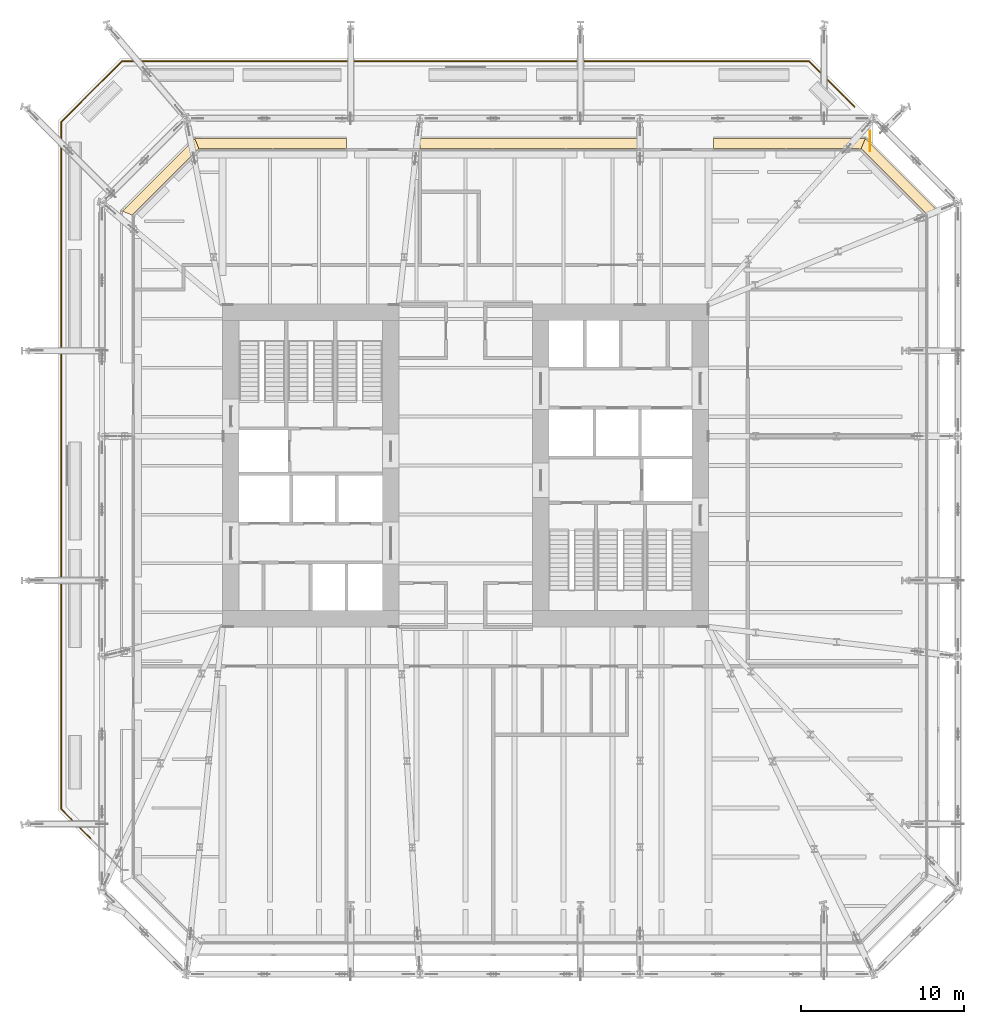
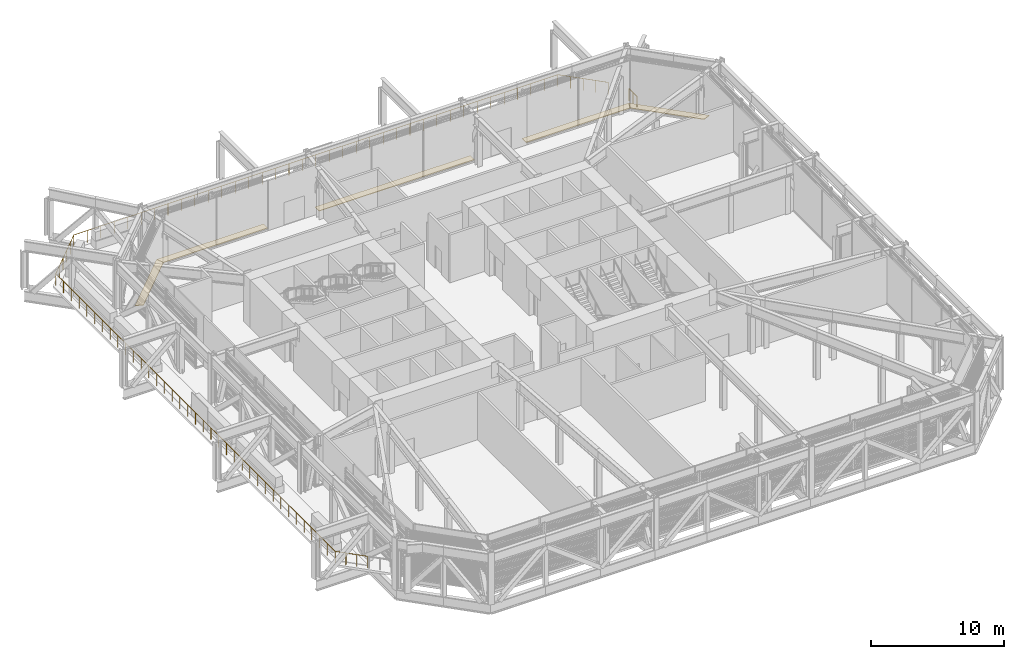
# One storey, part 28 of 29: 5 coverings, 2 railings.
"""IFC4 building model written with IfcOpenShell, lengths in metres."""

from ifc_helpers import new_model, si_unit, direction, frame, origin, origin_2d, place, context, subcontext, project, spatial, polyline, circle, outline, extrude, material, layer, layer_set, type_object, element, save


model = new_model("IFC4")

# Units and contexts
model_context = context("Model", 3, precision=1e-05, world=origin(), true_north=direction((0.0, 1.0)))
body_context = subcontext(model_context, "Body", "Model", "MODEL_VIEW")
ifc_project = project(units=[si_unit("LENGTHUNIT", "METRE"), si_unit("AREAUNIT", "SQUARE_METRE"), si_unit("VOLUMEUNIT", "CUBIC_METRE"), si_unit("PLANEANGLEUNIT", "RADIAN"), si_unit("MASSUNIT", "GRAM", prefix="KILO")], contexts=[model_context])

# Site, building, storey
site_placement = place(None, origin())
site = spatial("IfcSite", under=ifc_project, at=site_placement, CompositionType="ELEMENT")
building_placement = place(site_placement, origin())
building = spatial("IfcBuilding", under=site, at=building_placement, Name="Millrace Tower", CompositionType="ELEMENT")
storey_placement = place(building_placement, frame((0.0, 0.0, 68.60009765625)))
storey = spatial("IfcBuildingStorey", under=building, at=storey_placement, Name="L15", CompositionType="ELEMENT", Elevation=68.60009765625)

# Coverings
ifc_material_1 = material(Name="Steel ASTM A36", Category="steel")
ifc_layer = layer(ifc_material_1, 0.050048828125)
ifc_layer_set = layer_set([ifc_layer], Name="Steel ASTM A36")
covering_type = type_object("IfcCoveringType", Name="CAVITY CATWALK steel grating", PredefinedType="FLOORING", material=ifc_layer_set)
placement = place(storey_placement, frame((0.0, 0.0, 0.099853515625)))
element("IfcCovering", 1, at=placement, inside=storey, type_object=covering_type, Name="Cavity catwalk grating B-F05 L15 1", PredefinedType="FLOORING", context=body_context, shape_type="SweptSolid", body=[
    extrude(outline(polyline([(28.949951171875, 15.610595703125), (24.5107421875, 20.050048828125), (24.26220703125, 19.449951171875), (28.35009765625, 15.362060546875), (28.949951171875, 15.610595703125)])), origin(), (0.0, 0.0, 1.0), 0.050048828125),
])
element("IfcCovering", 2, at=placement, inside=storey, type_object=covering_type, Name="Cavity catwalk grating B-F06 L15 1", PredefinedType="FLOORING", context=body_context, shape_type="SweptSolid", body=[
    extrude(outline(polyline([(24.5107421875, 20.050048828125), (15.199951171875, 20.050048828125), (15.199951171875, 19.449951171875), (24.26220703125, 19.449951171875), (24.5107421875, 20.050048828125)])), origin(), (0.0, 0.0, 1.0), 0.050048828125),
])
element("IfcCovering", 3, at=placement, inside=storey, type_object=covering_type, Name="Cavity catwalk grating B-F06 L15 2", PredefinedType="FLOORING", context=body_context, shape_type="SweptSolid", body=[
    extrude(outline(polyline([(10.699951171875, 20.050048828125), (-2.800048828125, 20.050048828125), (-2.800048828125, 19.449951171875), (10.699951171875, 19.449951171875), (10.699951171875, 20.050048828125)])), origin(), (0.0, 0.0, 1.0), 0.050048828125),
])
element("IfcCovering", 4, at=placement, inside=storey, type_object=covering_type, Name="Cavity catwalk grating B-F06 L15 3", PredefinedType="FLOORING", context=body_context, shape_type="SweptSolid", body=[
    extrude(outline(polyline([(-7.300048828125, 20.050048828125), (-16.610595703125, 20.050048828125), (-16.362060546875, 19.449951171875), (-7.300048828125, 19.449951171875), (-7.300048828125, 20.050048828125)])), origin(), (0.0, 0.0, 1.0), 0.050048828125),
])
element("IfcCovering", 5, at=placement, inside=storey, type_object=covering_type, Name="Cavity catwalk grating B-F07 L15 1", PredefinedType="FLOORING", context=body_context, shape_type="SweptSolid", body=[
    extrude(outline(polyline([(-16.610595703125, 20.050048828125), (-21.050048828125, 15.610595703125), (-20.449951171875, 15.362060546875), (-16.362060546875, 19.449951171875), (-16.610595703125, 20.050048828125)])), origin(), (0.0, 0.0, 1.0), 0.050048828125),
])

# Railings
ifc_material_2 = material(Name="Stainless steel ASTM A240 type 316", Category="steel")
railing_type = type_object("IfcRailingType", Name="Terrace guard 1100", PredefinedType="GUARDRAIL", material=ifc_material_2)
railing_1_placement = place(storey_placement, frame((23.85498046875, 22.01220703125, 0.0)))
element("IfcRailing", 6, at=railing_1_placement, inside=storey, type_object=railing_type, Name="Terrace guard T-L14-1 1", PredefinedType="GUARDRAIL", context=body_context, shape_type="SweptSolid", body=[
    extrude(circle(Radius=0.02392578125, at=origin_2d()), frame((0.0, 0.0, 1.076171875), z_axis=(-0.707106781187, 0.707106781187, 0.0), x_axis=(-0.707106781187, -0.707106781187, 0.0)), (0.0, 0.0, 1.0), 3.942626953125),
    extrude(circle(Radius=0.02392578125, at=origin_2d()), frame((-2.787841796875, 2.787841796875, 1.076171875), z_axis=(-1.0, 0.0, 0.0), x_axis=(0.0, -1.0, 0.0)), (0.0, 0.0, 1.0), 42.13427734375),
    extrude(circle(Radius=0.02392578125, at=origin_2d()), frame((-44.922119140625, 2.787841796875, 1.076171875), z_axis=(-0.707106781187, -0.707106781187, 0.0), x_axis=(0.707106781187, -0.707106781187, 0.0)), (0.0, 0.0, 1.0), 5.279052734375),
    extrude(circle(Radius=0.02392578125, at=origin_2d()), frame((-48.655029296875, -0.945068359375, 1.076171875), z_axis=(0.0, -1.0, 0.0), x_axis=(1.0, 0.0, 0.0)), (0.0, 0.0, 1.0), 42.13427734375),
    extrude(circle(Radius=0.02392578125, at=origin_2d()), frame((-48.655029296875, -43.079345703125, 1.076171875), z_axis=(0.707106781187, -0.707106781187, 0.0), x_axis=(0.707106781187, 0.707106781187, 0.0)), (0.0, 0.0, 1.0), 2.5283203125),
    extrude(circle(Radius=0.02099609375, at=origin_2d()), origin(), (0.0, 0.0, 1.0), 1.052001953125),
    extrude(circle(Radius=0.02099609375, at=origin_2d()), frame((-0.697021484375, 0.697021484375, 0.0)), (0.0, 0.0, 1.0), 1.052001953125),
    extrude(circle(Radius=0.02099609375, at=origin_2d()), frame((-1.39404296875, 1.39404296875, 0.0)), (0.0, 0.0, 1.0), 1.052001953125),
    extrude(circle(Radius=0.02099609375, at=origin_2d()), frame((-2.0908203125, 2.0908203125, 0.0)), (0.0, 0.0, 1.0), 1.052001953125),
    extrude(circle(Radius=0.02099609375, at=origin_2d()), frame((-2.787841796875, 2.787841796875, 0.0)), (0.0, 0.0, 1.0), 1.052001953125),
    extrude(circle(Radius=0.02099609375, at=origin_2d()), frame((-3.958251953125, 2.787841796875, 0.0)), (0.0, 0.0, 1.0), 1.052001953125),
    extrude(circle(Radius=0.02099609375, at=origin_2d()), frame((-5.128662109375, 2.787841796875, 0.0)), (0.0, 0.0, 1.0), 1.052001953125),
    extrude(circle(Radius=0.02099609375, at=origin_2d()), frame((-6.299072265625, 2.787841796875, 0.0)), (0.0, 0.0, 1.0), 1.052001953125),
    extrude(circle(Radius=0.02099609375, at=origin_2d()), frame((-7.469482421875, 2.787841796875, 0.0)), (0.0, 0.0, 1.0), 1.052001953125),
    extrude(circle(Radius=0.02099609375, at=origin_2d()), frame((-8.639892578125, 2.787841796875, 0.0)), (0.0, 0.0, 1.0), 1.052001953125),
    extrude(circle(Radius=0.02099609375, at=origin_2d()), frame((-9.810302734375, 2.787841796875, 0.0)), (0.0, 0.0, 1.0), 1.052001953125),
    extrude(circle(Radius=0.02099609375, at=origin_2d()), frame((-10.980712890625, 2.787841796875, 0.0)), (0.0, 0.0, 1.0), 1.052001953125),
    extrude(circle(Radius=0.02099609375, at=origin_2d()), frame((-12.151123046875, 2.787841796875, 0.0)), (0.0, 0.0, 1.0), 1.052001953125),
    extrude(circle(Radius=0.02099609375, at=origin_2d()), frame((-13.3212890625, 2.787841796875, 0.0)), (0.0, 0.0, 1.0), 1.052001953125),
    extrude(circle(Radius=0.02099609375, at=origin_2d()), frame((-14.49169921875, 2.787841796875, 0.0)), (0.0, 0.0, 1.0), 1.052001953125),
    extrude(circle(Radius=0.02099609375, at=origin_2d()), frame((-15.662109375, 2.787841796875, 0.0)), (0.0, 0.0, 1.0), 1.052001953125),
    extrude(circle(Radius=0.02099609375, at=origin_2d()), frame((-16.83251953125, 2.787841796875, 0.0)), (0.0, 0.0, 1.0), 1.052001953125),
    extrude(circle(Radius=0.02099609375, at=origin_2d()), frame((-18.0029296875, 2.787841796875, 0.0)), (0.0, 0.0, 1.0), 1.052001953125),
    extrude(circle(Radius=0.02099609375, at=origin_2d()), frame((-19.17333984375, 2.787841796875, 0.0)), (0.0, 0.0, 1.0), 1.052001953125),
    extrude(circle(Radius=0.02099609375, at=origin_2d()), frame((-20.34375, 2.787841796875, 0.0)), (0.0, 0.0, 1.0), 1.052001953125),
    extrude(circle(Radius=0.02099609375, at=origin_2d()), frame((-21.51416015625, 2.787841796875, 0.0)), (0.0, 0.0, 1.0), 1.052001953125),
    extrude(circle(Radius=0.02099609375, at=origin_2d()), frame((-22.6845703125, 2.787841796875, 0.0)), (0.0, 0.0, 1.0), 1.052001953125),
    extrude(circle(Radius=0.02099609375, at=origin_2d()), frame((-23.85498046875, 2.787841796875, 0.0)), (0.0, 0.0, 1.0), 1.052001953125),
    extrude(circle(Radius=0.02099609375, at=origin_2d()), frame((-25.025390625, 2.787841796875, 0.0)), (0.0, 0.0, 1.0), 1.052001953125),
    extrude(circle(Radius=0.02099609375, at=origin_2d()), frame((-26.19580078125, 2.787841796875, 0.0)), (0.0, 0.0, 1.0), 1.052001953125),
    extrude(circle(Radius=0.02099609375, at=origin_2d()), frame((-27.3662109375, 2.787841796875, 0.0)), (0.0, 0.0, 1.0), 1.052001953125),
    extrude(circle(Radius=0.02099609375, at=origin_2d()), frame((-28.53662109375, 2.787841796875, 0.0)), (0.0, 0.0, 1.0), 1.052001953125),
    extrude(circle(Radius=0.02099609375, at=origin_2d()), frame((-29.70703125, 2.787841796875, 0.0)), (0.0, 0.0, 1.0), 1.052001953125),
    extrude(circle(Radius=0.02099609375, at=origin_2d()), frame((-30.87744140625, 2.787841796875, 0.0)), (0.0, 0.0, 1.0), 1.052001953125),
    extrude(circle(Radius=0.02099609375, at=origin_2d()), frame((-32.0478515625, 2.787841796875, 0.0)), (0.0, 0.0, 1.0), 1.052001953125),
    extrude(circle(Radius=0.02099609375, at=origin_2d()), frame((-33.21826171875, 2.787841796875, 0.0)), (0.0, 0.0, 1.0), 1.052001953125),
    extrude(circle(Radius=0.02099609375, at=origin_2d()), frame((-34.388671875, 2.787841796875, 0.0)), (0.0, 0.0, 1.0), 1.052001953125),
    extrude(circle(Radius=0.02099609375, at=origin_2d()), frame((-35.558837890625, 2.787841796875, 0.0)), (0.0, 0.0, 1.0), 1.052001953125),
    extrude(circle(Radius=0.02099609375, at=origin_2d()), frame((-36.729248046875, 2.787841796875, 0.0)), (0.0, 0.0, 1.0), 1.052001953125),
    extrude(circle(Radius=0.02099609375, at=origin_2d()), frame((-37.899658203125, 2.787841796875, 0.0)), (0.0, 0.0, 1.0), 1.052001953125),
    extrude(circle(Radius=0.02099609375, at=origin_2d()), frame((-39.070068359375, 2.787841796875, 0.0)), (0.0, 0.0, 1.0), 1.052001953125),
    extrude(circle(Radius=0.02099609375, at=origin_2d()), frame((-40.240478515625, 2.787841796875, 0.0)), (0.0, 0.0, 1.0), 1.052001953125),
    extrude(circle(Radius=0.02099609375, at=origin_2d()), frame((-41.410888671875, 2.787841796875, 0.0)), (0.0, 0.0, 1.0), 1.052001953125),
    extrude(circle(Radius=0.02099609375, at=origin_2d()), frame((-42.581298828125, 2.787841796875, 0.0)), (0.0, 0.0, 1.0), 1.052001953125),
    extrude(circle(Radius=0.02099609375, at=origin_2d()), frame((-43.751708984375, 2.787841796875, 0.0)), (0.0, 0.0, 1.0), 1.052001953125),
    extrude(circle(Radius=0.02099609375, at=origin_2d()), frame((-44.922119140625, 2.787841796875, 0.0)), (0.0, 0.0, 1.0), 1.052001953125),
    extrude(circle(Radius=0.02099609375, at=origin_2d()), frame((-45.668701171875, 2.041259765625, 0.0)), (0.0, 0.0, 1.0), 1.052001953125),
    extrude(circle(Radius=0.02099609375, at=origin_2d()), frame((-46.415283203125, 1.294677734375, 0.0)), (0.0, 0.0, 1.0), 1.052001953125),
    extrude(circle(Radius=0.02099609375, at=origin_2d()), frame((-47.161865234375, 0.548095703125, 0.0)), (0.0, 0.0, 1.0), 1.052001953125),
    extrude(circle(Radius=0.02099609375, at=origin_2d()), frame((-47.908447265625, -0.198486328125, 0.0)), (0.0, 0.0, 1.0), 1.052001953125),
    extrude(circle(Radius=0.02099609375, at=origin_2d()), frame((-48.655029296875, -0.945068359375, 0.0)), (0.0, 0.0, 1.0), 1.052001953125),
    extrude(circle(Radius=0.02099609375, at=origin_2d()), frame((-48.655029296875, -2.115478515625, 0.0)), (0.0, 0.0, 1.0), 1.052001953125),
    extrude(circle(Radius=0.02099609375, at=origin_2d()), frame((-48.655029296875, -3.285888671875, 0.0)), (0.0, 0.0, 1.0), 1.052001953125),
    extrude(circle(Radius=0.02099609375, at=origin_2d()), frame((-48.655029296875, -4.456298828125, 0.0)), (0.0, 0.0, 1.0), 1.052001953125),
    extrude(circle(Radius=0.02099609375, at=origin_2d()), frame((-48.655029296875, -5.626708984375, 0.0)), (0.0, 0.0, 1.0), 1.052001953125),
    extrude(circle(Radius=0.02099609375, at=origin_2d()), frame((-48.655029296875, -6.797119140625, 0.0)), (0.0, 0.0, 1.0), 1.052001953125),
    extrude(circle(Radius=0.02099609375, at=origin_2d()), frame((-48.655029296875, -7.967529296875, 0.0)), (0.0, 0.0, 1.0), 1.052001953125),
    extrude(circle(Radius=0.02099609375, at=origin_2d()), frame((-48.655029296875, -9.137939453125, 0.0)), (0.0, 0.0, 1.0), 1.052001953125),
    extrude(circle(Radius=0.02099609375, at=origin_2d()), frame((-48.655029296875, -10.308349609375, 0.0)), (0.0, 0.0, 1.0), 1.052001953125),
    extrude(circle(Radius=0.02099609375, at=origin_2d()), frame((-48.655029296875, -11.478515625, 0.0)), (0.0, 0.0, 1.0), 1.052001953125),
    extrude(circle(Radius=0.02099609375, at=origin_2d()), frame((-48.655029296875, -12.64892578125, 0.0)), (0.0, 0.0, 1.0), 1.052001953125),
    extrude(circle(Radius=0.02099609375, at=origin_2d()), frame((-48.655029296875, -13.8193359375, 0.0)), (0.0, 0.0, 1.0), 1.052001953125),
    extrude(circle(Radius=0.02099609375, at=origin_2d()), frame((-48.655029296875, -14.98974609375, 0.0)), (0.0, 0.0, 1.0), 1.052001953125),
    extrude(circle(Radius=0.02099609375, at=origin_2d()), frame((-48.655029296875, -16.16015625, 0.0)), (0.0, 0.0, 1.0), 1.052001953125),
    extrude(circle(Radius=0.02099609375, at=origin_2d()), frame((-48.655029296875, -17.33056640625, 0.0)), (0.0, 0.0, 1.0), 1.052001953125),
    extrude(circle(Radius=0.02099609375, at=origin_2d()), frame((-48.655029296875, -18.5009765625, 0.0)), (0.0, 0.0, 1.0), 1.052001953125),
    extrude(circle(Radius=0.02099609375, at=origin_2d()), frame((-48.655029296875, -19.67138671875, 0.0)), (0.0, 0.0, 1.0), 1.052001953125),
    extrude(circle(Radius=0.02099609375, at=origin_2d()), frame((-48.655029296875, -20.841796875, 0.0)), (0.0, 0.0, 1.0), 1.052001953125),
    extrude(circle(Radius=0.02099609375, at=origin_2d()), frame((-48.655029296875, -22.01220703125, 0.0)), (0.0, 0.0, 1.0), 1.052001953125),
    extrude(circle(Radius=0.02099609375, at=origin_2d()), frame((-48.655029296875, -23.1826171875, 0.0)), (0.0, 0.0, 1.0), 1.052001953125),
    extrude(circle(Radius=0.02099609375, at=origin_2d()), frame((-48.655029296875, -24.35302734375, 0.0)), (0.0, 0.0, 1.0), 1.052001953125),
    extrude(circle(Radius=0.02099609375, at=origin_2d()), frame((-48.655029296875, -25.5234375, 0.0)), (0.0, 0.0, 1.0), 1.052001953125),
    extrude(circle(Radius=0.02099609375, at=origin_2d()), frame((-48.655029296875, -26.69384765625, 0.0)), (0.0, 0.0, 1.0), 1.052001953125),
    extrude(circle(Radius=0.02099609375, at=origin_2d()), frame((-48.655029296875, -27.8642578125, 0.0)), (0.0, 0.0, 1.0), 1.052001953125),
    extrude(circle(Radius=0.02099609375, at=origin_2d()), frame((-48.655029296875, -29.03466796875, 0.0)), (0.0, 0.0, 1.0), 1.052001953125),
    extrude(circle(Radius=0.02099609375, at=origin_2d()), frame((-48.655029296875, -30.205078125, 0.0)), (0.0, 0.0, 1.0), 1.052001953125),
    extrude(circle(Radius=0.02099609375, at=origin_2d()), frame((-48.655029296875, -31.37548828125, 0.0)), (0.0, 0.0, 1.0), 1.052001953125),
    extrude(circle(Radius=0.02099609375, at=origin_2d()), frame((-48.655029296875, -32.5458984375, 0.0)), (0.0, 0.0, 1.0), 1.052001953125),
    extrude(circle(Radius=0.02099609375, at=origin_2d()), frame((-48.655029296875, -33.716064453125, 0.0)), (0.0, 0.0, 1.0), 1.052001953125),
    extrude(circle(Radius=0.02099609375, at=origin_2d()), frame((-48.655029296875, -34.886474609375, 0.0)), (0.0, 0.0, 1.0), 1.052001953125),
    extrude(circle(Radius=0.02099609375, at=origin_2d()), frame((-48.655029296875, -36.056884765625, 0.0)), (0.0, 0.0, 1.0), 1.052001953125),
    extrude(circle(Radius=0.02099609375, at=origin_2d()), frame((-48.655029296875, -37.227294921875, 0.0)), (0.0, 0.0, 1.0), 1.052001953125),
    extrude(circle(Radius=0.02099609375, at=origin_2d()), frame((-48.655029296875, -38.397705078125, 0.0)), (0.0, 0.0, 1.0), 1.052001953125),
    extrude(circle(Radius=0.02099609375, at=origin_2d()), frame((-48.655029296875, -39.568115234375, 0.0)), (0.0, 0.0, 1.0), 1.052001953125),
    extrude(circle(Radius=0.02099609375, at=origin_2d()), frame((-48.655029296875, -40.738525390625, 0.0)), (0.0, 0.0, 1.0), 1.052001953125),
    extrude(circle(Radius=0.02099609375, at=origin_2d()), frame((-48.655029296875, -41.908935546875, 0.0)), (0.0, 0.0, 1.0), 1.052001953125),
    extrude(circle(Radius=0.02099609375, at=origin_2d()), frame((-48.655029296875, -43.079345703125, 0.0)), (0.0, 0.0, 1.0), 1.052001953125),
    extrude(circle(Radius=0.02099609375, at=origin_2d()), frame((-48.05908203125, -43.67529296875, 0.0)), (0.0, 0.0, 1.0), 1.052001953125),
    extrude(circle(Radius=0.02099609375, at=origin_2d()), frame((-47.463134765625, -44.271240234375, 0.0)), (0.0, 0.0, 1.0), 1.052001953125),
    extrude(circle(Radius=0.02099609375, at=origin_2d()), frame((-46.8671875, -44.8671875, 0.0)), (0.0, 0.0, 1.0), 1.052001953125),
])
railing_2_placement = place(storey_placement, frame((24.800048828125, 20.519775390625, 0.0)))
element("IfcRailing", 7, at=railing_2_placement, inside=storey, type_object=railing_type, Name="Terrace guard L14 edge 1.2", PredefinedType="GUARDRAIL", context=body_context, shape_type="SweptSolid", body=[
    extrude(circle(Radius=0.02392578125, at=origin_2d()), frame((0.0, 0.0, 1.076171875), z_axis=(0.0, -1.0, 0.0), x_axis=(1.0, 0.0, 0.0)), (0.0, 0.0, 1.0), 1.21875),
    extrude(circle(Radius=0.02099609375, at=origin_2d()), origin(), (0.0, 0.0, 1.0), 1.052001953125),
    extrude(circle(Radius=0.02099609375, at=origin_2d()), frame((0.0, -0.609375, 0.0)), (0.0, 0.0, 1.0), 1.052001953125),
    extrude(circle(Radius=0.02099609375, at=origin_2d()), frame((0.0, -1.21875, 0.0)), (0.0, 0.0, 1.0), 1.052001953125),
])

save(model, "model.ifc")
